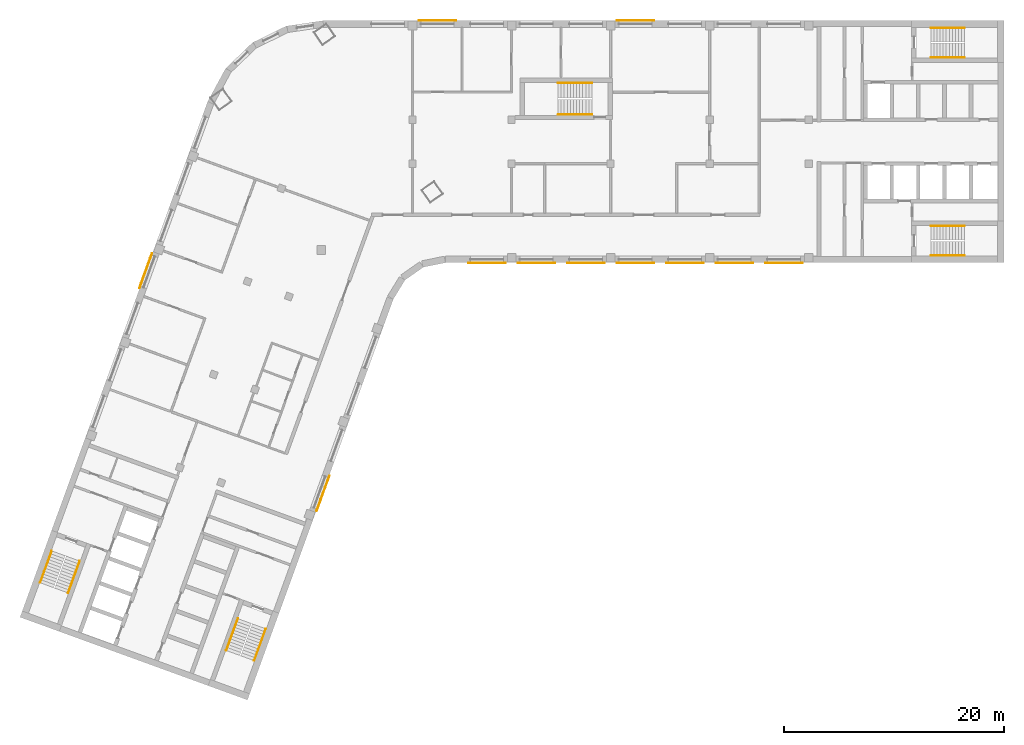
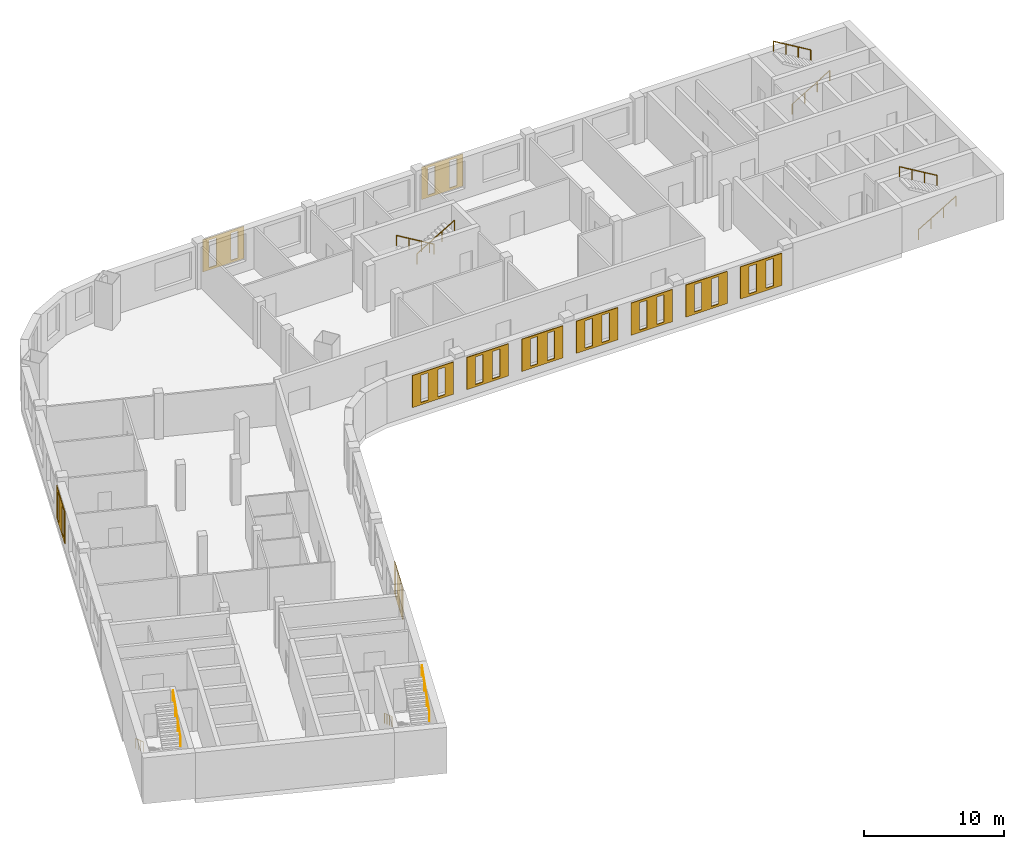
# One storey, part 8 of 8: 11 coverings, 10 railings.
"""IFC4 building model written with IfcOpenShell, lengths in metres."""

from ifc_helpers import new_model, si_unit, direction, frame, origin, origin_2d, place, context, subcontext, project, spatial, polyline, circle, outline, extrude, material, material_profile, profile_set, type_object, element, save


model = new_model("IFC4")

# Units and contexts
model_context = context("Model", 3, precision=1e-05, world=origin(), true_north=direction((0.0, 1.0)))
body_context = subcontext(model_context, "Body", "Model", "MODEL_VIEW")
ifc_project = project(units=[si_unit("LENGTHUNIT", "METRE"), si_unit("AREAUNIT", "SQUARE_METRE"), si_unit("VOLUMEUNIT", "CUBIC_METRE"), si_unit("PLANEANGLEUNIT", "RADIAN"), si_unit("MASSUNIT", "GRAM", prefix="KILO")], contexts=[model_context])

# Site, building, storey
site_placement = place(None, origin())
site = spatial("IfcSite", under=ifc_project, at=site_placement, CompositionType="ELEMENT")
building_placement = place(site_placement, origin())
building = spatial("IfcBuilding", under=site, at=building_placement, Name="Skarvind Civic Tower", CompositionType="ELEMENT")
storey_placement = place(building_placement, frame((0.0, 0.0, 174.5)))
storey = spatial("IfcBuildingStorey", under=building, at=storey_placement, Name="L41", CompositionType="ELEMENT", Elevation=174.5)

# Railings
ifc_material_1 = material(Name="Painted steel handrail", Category="steel")
railing_type = type_object("IfcRailingType", Name="Stair handrail 900", PredefinedType="HANDRAIL", material=ifc_material_1)
railing_1_placement = place(storey_placement, frame((101.35009765625, 135.64990234375, 0.166748046875)))
element("IfcRailing", 1, at=railing_1_placement, inside=storey, type_object=railing_type, Name="Stair handrail", PredefinedType="HANDRAIL", context=body_context, shape_type="SweptSolid", body=[
    extrude(circle(Radius=0.02392578125, at=origin_2d()), frame((0.0, 0.0, 0.8759765625), z_axis=(0.859290745958, 0.0, 0.51148745235), x_axis=(0.0, 1.0, 0.0)), (0.0, 0.0, 1.0), 3.584228515625),
    extrude(circle(Radius=0.02099609375, at=origin_2d()), origin(), (0.0, 0.0, 1.0), 0.851806640625),
    extrude(circle(Radius=0.02099609375, at=origin_2d()), frame((1.026611328125, 0.0, 0.611083984375)), (0.0, 0.0, 1.0), 0.851806640625),
    extrude(circle(Radius=0.02099609375, at=origin_2d()), frame((2.05322265625, 0.0, 1.22216796875)), (0.0, 0.0, 1.0), 0.851806640625),
    extrude(circle(Radius=0.02099609375, at=origin_2d()), frame((3.079833984375, 0.0, 1.833251953125)), (0.0, 0.0, 1.0), 0.851806640625),
])
railing_2_placement = place(storey_placement, frame((104.429931640625, 138.35009765625, 2.166748046875)))
element("IfcRailing", 2, at=railing_2_placement, inside=storey, type_object=railing_type, Name="Stair handrail", PredefinedType="HANDRAIL", context=body_context, shape_type="SweptSolid", body=[
    extrude(circle(Radius=0.02392578125, at=origin_2d()), frame((0.0, 0.0, 0.8759765625), z_axis=(-0.859290745958, 0.0, 0.51148745235), x_axis=(0.0, -1.0, 0.0)), (0.0, 0.0, 1.0), 3.584228515625),
    extrude(circle(Radius=0.02099609375, at=origin_2d()), origin(), (0.0, 0.0, 1.0), 0.851806640625),
    extrude(circle(Radius=0.02099609375, at=origin_2d()), frame((-1.026611328125, 0.0, 0.611083984375)), (0.0, 0.0, 1.0), 0.851806640625),
    extrude(circle(Radius=0.02099609375, at=origin_2d()), frame((-2.05322265625, 0.0, 1.22216796875)), (0.0, 0.0, 1.0), 0.851806640625),
    extrude(circle(Radius=0.02099609375, at=origin_2d()), frame((-3.079833984375, 0.0, 1.833251953125)), (0.0, 0.0, 1.0), 0.851806640625),
])
railing_3_placement = place(storey_placement, frame((101.35009765625, 117.64990234375, 0.166748046875)))
element("IfcRailing", 3, at=railing_3_placement, inside=storey, type_object=railing_type, Name="Stair handrail", PredefinedType="HANDRAIL", context=body_context, shape_type="SweptSolid", body=[
    extrude(circle(Radius=0.02392578125, at=origin_2d()), frame((0.0, 0.0, 0.8759765625), z_axis=(0.859290745958, 0.0, 0.51148745235), x_axis=(0.0, 1.0, 0.0)), (0.0, 0.0, 1.0), 3.584228515625),
    extrude(circle(Radius=0.02099609375, at=origin_2d()), origin(), (0.0, 0.0, 1.0), 0.851806640625),
    extrude(circle(Radius=0.02099609375, at=origin_2d()), frame((1.026611328125, 0.0, 0.611083984375)), (0.0, 0.0, 1.0), 0.851806640625),
    extrude(circle(Radius=0.02099609375, at=origin_2d()), frame((2.05322265625, 0.0, 1.22216796875)), (0.0, 0.0, 1.0), 0.851806640625),
    extrude(circle(Radius=0.02099609375, at=origin_2d()), frame((3.079833984375, 0.0, 1.833251953125)), (0.0, 0.0, 1.0), 0.851806640625),
])
railing_4_placement = place(storey_placement, frame((104.429931640625, 120.35009765625, 2.166748046875)))
element("IfcRailing", 4, at=railing_4_placement, inside=storey, type_object=railing_type, Name="Stair handrail", PredefinedType="HANDRAIL", context=body_context, shape_type="SweptSolid", body=[
    extrude(circle(Radius=0.02392578125, at=origin_2d()), frame((0.0, 0.0, 0.8759765625), z_axis=(-0.859290745958, 0.0, 0.51148745235), x_axis=(0.0, -1.0, 0.0)), (0.0, 0.0, 1.0), 3.584228515625),
    extrude(circle(Radius=0.02099609375, at=origin_2d()), origin(), (0.0, 0.0, 1.0), 0.851806640625),
    extrude(circle(Radius=0.02099609375, at=origin_2d()), frame((-1.026611328125, 0.0, 0.611083984375)), (0.0, 0.0, 1.0), 0.851806640625),
    extrude(circle(Radius=0.02099609375, at=origin_2d()), frame((-2.05322265625, 0.0, 1.22216796875)), (0.0, 0.0, 1.0), 0.851806640625),
    extrude(circle(Radius=0.02099609375, at=origin_2d()), frame((-3.079833984375, 0.0, 1.833251953125)), (0.0, 0.0, 1.0), 0.851806640625),
])
railing_5_placement = place(storey_placement, frame((38.362060546875, 84.64794921875, 0.166748046875)))
element("IfcRailing", 5, at=railing_5_placement, inside=storey, type_object=railing_type, Name="Stair handrail", PredefinedType="HANDRAIL", context=body_context, shape_type="SweptSolid", body=[
    extrude(circle(Radius=0.02392578125, at=origin_2d()), frame((0.0, 0.0, 0.8759765625), z_axis=(-0.293908055923, -0.807480881337, 0.511461319103), x_axis=(0.939689235759, -0.342029443467, 0.0)), (0.0, 0.0, 1.0), 3.584228515625),
    extrude(circle(Radius=0.02099609375, at=origin_2d()), origin(), (0.0, 0.0, 1.0), 0.851806640625),
    extrude(circle(Radius=0.02099609375, at=origin_2d()), frame((-0.35107421875, -0.96484375, 0.611083984375)), (0.0, 0.0, 1.0), 0.851806640625),
    extrude(circle(Radius=0.02099609375, at=origin_2d()), frame((-0.702392578125, -1.929443359375, 1.22216796875)), (0.0, 0.0, 1.0), 0.851806640625),
    extrude(circle(Radius=0.02099609375, at=origin_2d()), frame((-1.053466796875, -2.894287109375, 1.833251953125)), (0.0, 0.0, 1.0), 0.851806640625),
])
railing_6_placement = place(storey_placement, frame((39.845703125, 80.830078125, 2.166748046875)))
element("IfcRailing", 6, at=railing_6_placement, inside=storey, type_object=railing_type, Name="Stair handrail", PredefinedType="HANDRAIL", context=body_context, shape_type="SweptSolid", body=[
    extrude(circle(Radius=0.02392578125, at=origin_2d()), frame((0.0, 0.0, 0.8759765625), z_axis=(0.293908055923, 0.807480881337, 0.511461319103), x_axis=(-0.939689235759, 0.342029443467, 0.0)), (0.0, 0.0, 1.0), 3.584228515625),
    extrude(circle(Radius=0.02099609375, at=origin_2d()), origin(), (0.0, 0.0, 1.0), 0.851806640625),
    extrude(circle(Radius=0.02099609375, at=origin_2d()), frame((0.35107421875, 0.96484375, 0.611083984375)), (0.0, 0.0, 1.0), 0.851806640625),
    extrude(circle(Radius=0.02099609375, at=origin_2d()), frame((0.702392578125, 1.929443359375, 1.22216796875)), (0.0, 0.0, 1.0), 0.851806640625),
    extrude(circle(Radius=0.02099609375, at=origin_2d()), frame((1.053466796875, 2.894287109375, 1.833251953125)), (0.0, 0.0, 1.0), 0.851806640625),
])
railing_7_placement = place(storey_placement, frame((21.447509765625, 90.80419921875, 0.166748046875)))
element("IfcRailing", 7, at=railing_7_placement, inside=storey, type_object=railing_type, Name="Stair handrail", PredefinedType="HANDRAIL", context=body_context, shape_type="SweptSolid", body=[
    extrude(circle(Radius=0.02392578125, at=origin_2d()), frame((0.0, 0.0, 0.8759765625), z_axis=(-0.293845824691, -0.807497044902, 0.511471557163), x_axis=(0.939714709796, -0.34195944817, 0.0)), (0.0, 0.0, 1.0), 3.584228515625),
    extrude(circle(Radius=0.02099609375, at=origin_2d()), origin(), (0.0, 0.0, 1.0), 0.851806640625),
    extrude(circle(Radius=0.02099609375, at=origin_2d()), frame((-0.35107421875, -0.96484375, 0.611083984375)), (0.0, 0.0, 1.0), 0.851806640625),
    extrude(circle(Radius=0.02099609375, at=origin_2d()), frame((-0.7021484375, -1.929443359375, 1.22216796875)), (0.0, 0.0, 1.0), 0.851806640625),
    extrude(circle(Radius=0.02099609375, at=origin_2d()), frame((-1.05322265625, -2.894287109375, 1.833251953125)), (0.0, 0.0, 1.0), 0.851806640625),
])
railing_8_placement = place(storey_placement, frame((22.931396484375, 86.986572265625, 2.166748046875)))
element("IfcRailing", 8, at=railing_8_placement, inside=storey, type_object=railing_type, Name="Stair handrail", PredefinedType="HANDRAIL", context=body_context, shape_type="SweptSolid", body=[
    extrude(circle(Radius=0.02392578125, at=origin_2d()), frame((0.0, 0.0, 0.8759765625), z_axis=(0.293908055923, 0.807480881337, 0.511461319103), x_axis=(-0.939689235759, 0.342029443467, 0.0)), (0.0, 0.0, 1.0), 3.584228515625),
    extrude(circle(Radius=0.02099609375, at=origin_2d()), origin(), (0.0, 0.0, 1.0), 0.851806640625),
    extrude(circle(Radius=0.02099609375, at=origin_2d()), frame((0.35107421875, 0.96484375, 0.611083984375)), (0.0, 0.0, 1.0), 0.851806640625),
    extrude(circle(Radius=0.02099609375, at=origin_2d()), frame((0.702392578125, 1.929443359375, 1.22216796875)), (0.0, 0.0, 1.0), 0.851806640625),
    extrude(circle(Radius=0.02099609375, at=origin_2d()), frame((1.053466796875, 2.894287109375, 1.833251953125)), (0.0, 0.0, 1.0), 0.851806640625),
])
railing_9_placement = place(storey_placement, frame((70.550048828125, 133.35009765625, 0.166748046875)))
element("IfcRailing", 9, at=railing_9_placement, inside=storey, type_object=railing_type, Name="Stair handrail", PredefinedType="HANDRAIL", context=body_context, shape_type="SweptSolid", body=[
    extrude(circle(Radius=0.02392578125, at=origin_2d()), frame((0.0, 0.0, 0.8759765625), z_axis=(-0.859308565015, 0.0, 0.511457515432), x_axis=(0.0, -1.0, 0.0)), (0.0, 0.0, 1.0), 3.58447265625),
    extrude(circle(Radius=0.02099609375, at=origin_2d()), origin(), (0.0, 0.0, 1.0), 0.851806640625),
    extrude(circle(Radius=0.02099609375, at=origin_2d()), frame((-1.026611328125, 0.0, 0.611083984375)), (0.0, 0.0, 1.0), 0.851806640625),
    extrude(circle(Radius=0.02099609375, at=origin_2d()), frame((-2.053466796875, 0.0, 1.22216796875)), (0.0, 0.0, 1.0), 0.851806640625),
    extrude(circle(Radius=0.02099609375, at=origin_2d()), frame((-3.080078125, 0.0, 1.833251953125)), (0.0, 0.0, 1.0), 0.851806640625),
])
railing_10_placement = place(storey_placement, frame((67.469970703125, 130.449951171875, 2.166748046875)))
element("IfcRailing", 10, at=railing_10_placement, inside=storey, type_object=railing_type, Name="Stair handrail", PredefinedType="HANDRAIL", context=body_context, shape_type="SweptSolid", body=[
    extrude(circle(Radius=0.02392578125, at=origin_2d()), frame((0.0, 0.0, 0.8759765625), z_axis=(0.859308565015, 0.0, 0.511457515432), x_axis=(0.0, 1.0, 0.0)), (0.0, 0.0, 1.0), 3.58447265625),
    extrude(circle(Radius=0.02099609375, at=origin_2d()), origin(), (0.0, 0.0, 1.0), 0.851806640625),
    extrude(circle(Radius=0.02099609375, at=origin_2d()), frame((1.026611328125, 0.0, 0.611083984375)), (0.0, 0.0, 1.0), 0.851806640625),
    extrude(circle(Radius=0.02099609375, at=origin_2d()), frame((2.053466796875, 0.0, 1.22216796875)), (0.0, 0.0, 1.0), 0.851806640625),
    extrude(circle(Radius=0.02099609375, at=origin_2d()), frame((3.080078125, 0.0, 1.833251953125)), (0.0, 0.0, 1.0), 0.851806640625),
])

# Coverings
ifc_material_2 = material(Name="Terracotta", Category="masonry")
ifc_material_profile_1 = material_profile(ifc_material_2, outline(polyline([(-1.699951171875, -1.39990234375), (1.699951171875, -1.39990234375), (1.699951171875, 1.39990234375), (-1.699951171875, 1.39990234375), (-1.699951171875, -1.39990234375)]), holes=[polyline([(-1.0, -1.18994140625), (-0.39990234375, -1.18994140625), (-0.39990234375, 1.18994140625), (-1.0, 1.18994140625), (-1.0, -1.18994140625)]), polyline([(0.39990234375, -1.18994140625), (1.0, -1.18994140625), (1.0, 1.18994140625), (0.39990234375, 1.18994140625), (0.39990234375, -1.18994140625)])]), Name="TERRACOTTA SCREEN 3400 x 2800, SLIT PITCH 1400")
ifc_profile_set_1 = profile_set([ifc_material_profile_1], Name="Terracotta")
covering_type_1 = type_object("IfcCoveringType", Name="TERRACOTTA SCREEN 3400 x 2800, SLIT PITCH 1400", PredefinedType="CLADDING", material=ifc_profile_set_1)
for number, where, z_axis, x_axis, name in (
    (11, (88.0, 117.0, 2.10009765625), (0.0, -1.0, 0.0), (1.0, 0.0, 0.0), "TERRACOTTA SCREEN"),
    (12, (83.5, 117.0, 2.10009765625), (0.0, -1.0, 0.0), (1.0, 0.0, 0.0), "TERRACOTTA SCREEN"),
    (13, (79.0, 117.0, 2.10009765625), (0.0, -1.0, 0.0), (1.0, 0.0, 0.0), "TERRACOTTA SCREEN"),
    (14, (74.5, 117.0, 2.10009765625), (0.0, -1.0, 0.0), (1.0, 0.0, 0.0), "TERRACOTTA SCREEN"),
    (15, (70.0, 117.0, 2.10009765625), (0.0, -1.0, 0.0), (1.0, 0.0, 0.0), "TERRACOTTA SCREEN"),
    (16, (65.5, 117.0, 2.10009765625), (0.0, -1.0, 0.0), (1.0, 0.0, 0.0), "TERRACOTTA SCREEN"),
    (17, (61.0, 117.0, 2.10009765625), (0.0, -1.0, 0.0), (1.0, 0.0, 0.0), "TERRACOTTA SCREEN"),
):
    element("IfcCovering", number, at=place(storey_placement, frame(where, z_axis=z_axis, x_axis=x_axis)), inside=storey, type_object=covering_type_1, Name=name, PredefinedType="CLADDING", context=body_context, shape_type="SweptSolid", body=[
        extrude(outline(polyline([(-1.699951171875, -1.39990234375), (1.699951171875, -1.39990234375), (1.699951171875, 1.39990234375), (-1.699951171875, 1.39990234375), (-1.699951171875, -1.39990234375)]), holes=[polyline([(-1.0, -1.18994140625), (-0.39990234375, -1.18994140625), (-0.39990234375, 1.18994140625), (-1.0, 1.18994140625), (-1.0, -1.18994140625)]), polyline([(0.39990234375, -1.18994140625), (1.0, -1.18994140625), (1.0, 1.18994140625), (0.39990234375, 1.18994140625), (0.39990234375, -1.18994140625)])]), origin(), (0.0, 0.0, 1.0), 0.06005859375),
    ])
ifc_material_profile_2 = material_profile(ifc_material_2, outline(polyline([(-1.699951171875, -1.39990234375), (1.699951171875, -1.39990234375), (1.699951171875, 1.39990234375), (-1.699951171875, 1.39990234375), (-1.699951171875, -1.39990234375)]), holes=[polyline([(-1.199951171875, -1.18994140625), (-0.60009765625, -1.18994140625), (-0.60009765625, 1.18994140625), (-1.199951171875, 1.18994140625), (-1.199951171875, -1.18994140625)]), polyline([(0.60009765625, -1.18994140625), (1.199951171875, -1.18994140625), (1.199951171875, 1.18994140625), (0.60009765625, 1.18994140625), (0.60009765625, -1.18994140625)])]), Name="TERRACOTTA SCREEN 3400 x 2800, SLIT PITCH 1800")
ifc_profile_set_2 = profile_set([ifc_material_profile_2], Name="Terracotta")
covering_type_2 = type_object("IfcCoveringType", Name="TERRACOTTA SCREEN 3400 x 2800, SLIT PITCH 1800", PredefinedType="CLADDING", material=ifc_profile_set_2)
for number, where, z_axis, x_axis, name in (
    (18, (46.075927734375, 96.047119140625, 2.10009765625), (0.939793423488, -0.341743063087, 0.0), (0.341743063087, 0.939793423488, 0.0), "TERRACOTTA SCREEN"),
    (19, (56.5, 139.0, 2.10009765625), (0.0, 1.0, 0.0), (-1.0, 0.0, 0.0), "TERRACOTTA SCREEN"),
    (20, (74.5, 139.0, 2.10009765625), (0.0, 1.0, 0.0), (-1.0, 0.0, 0.0), "TERRACOTTA SCREEN"),
    (21, (30.02001953125, 116.25732421875, 2.10009765625), (-0.939793423488, 0.341743063087, 0.0), (-0.341743063087, -0.939793423488, 0.0), "TERRACOTTA SCREEN"),
):
    element("IfcCovering", number, at=place(storey_placement, frame(where, z_axis=z_axis, x_axis=x_axis)), inside=storey, type_object=covering_type_2, Name=name, PredefinedType="CLADDING", context=body_context, shape_type="SweptSolid", body=[
        extrude(outline(polyline([(-1.699951171875, -1.39990234375), (1.699951171875, -1.39990234375), (1.699951171875, 1.39990234375), (-1.699951171875, 1.39990234375), (-1.699951171875, -1.39990234375)]), holes=[polyline([(-1.199951171875, -1.18994140625), (-0.60009765625, -1.18994140625), (-0.60009765625, 1.18994140625), (-1.199951171875, 1.18994140625), (-1.199951171875, -1.18994140625)]), polyline([(0.60009765625, -1.18994140625), (1.199951171875, -1.18994140625), (1.199951171875, 1.18994140625), (0.60009765625, 1.18994140625), (0.60009765625, -1.18994140625)])]), origin(), (0.0, 0.0, 1.0), 0.06005859375),
    ])

save(model, "model.ifc")
